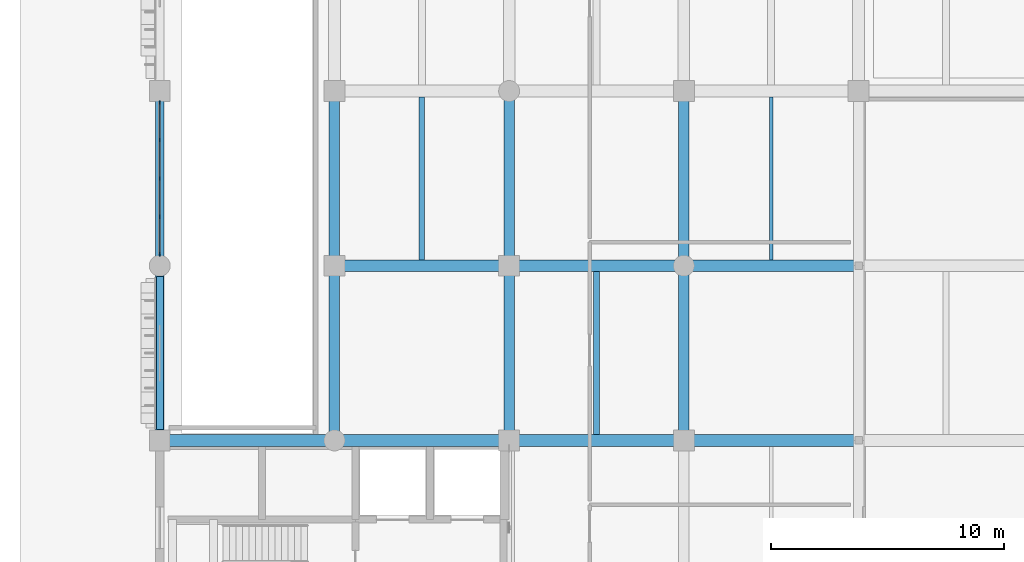
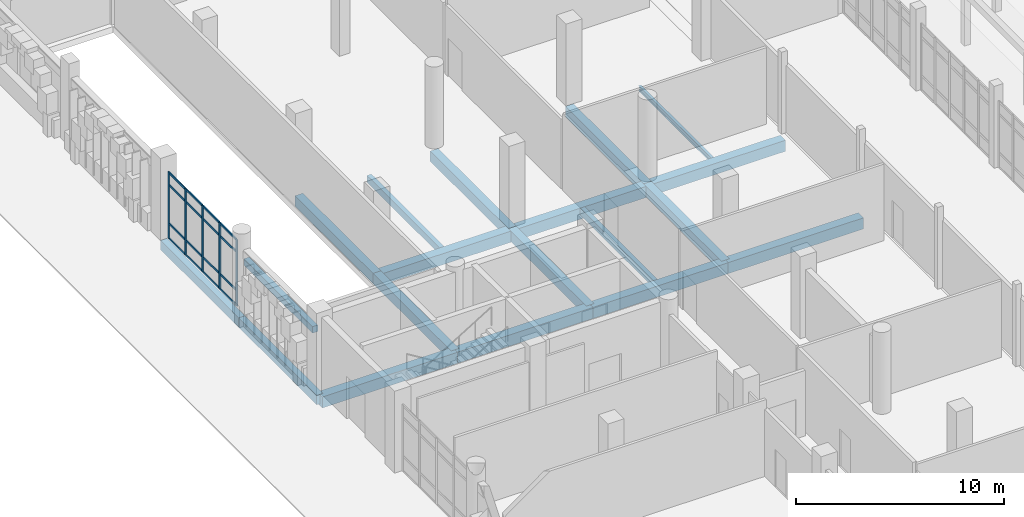
# One storey, part 39 of 125: 21 members, 19 beams, 1 element without a shape of its own.
"""IFC4 building model written with IfcOpenShell, lengths in metres."""

from ifc_helpers import new_model, si_unit, direction, frame, origin, origin_2d, place, context, subcontext, project, spatial, rectangle, i_section, extrude, material, layer, layer_set, material_profile, profile_set, type_object, element, aggregate, save


model = new_model("IFC4")

# Units and contexts
model_context = context("Model", 3, precision=1e-05, world=origin(), true_north=direction((0.0, 1.0)))
body_context = subcontext(model_context, "Body", "Model", "MODEL_VIEW")
ifc_project = project(units=[si_unit("LENGTHUNIT", "METRE"), si_unit("AREAUNIT", "SQUARE_METRE"), si_unit("VOLUMEUNIT", "CUBIC_METRE"), si_unit("PLANEANGLEUNIT", "RADIAN"), si_unit("MASSUNIT", "GRAM", prefix="KILO")], contexts=[model_context])

# Site, building, storey
site_placement = place(None, origin())
site = spatial("IfcSite", under=ifc_project, at=site_placement, CompositionType="ELEMENT")
building_placement = place(site_placement, origin())
building = spatial("IfcBuilding", under=site, at=building_placement, Name="Dalvernix Boulevard General Hospital", CompositionType="ELEMENT")
storey_placement = place(building_placement, origin())
storey = spatial("IfcBuildingStorey", under=building, at=storey_placement, Name="L00", CompositionType="ELEMENT", Elevation=0.0)

# Beams
ifc_material_1 = material(Name="Concrete C35/45", Category="concrete")
ifc_material_profile_1 = material_profile(ifc_material_1, rectangle(XDim=0.5, YDim=0.64990234375, at=origin_2d()), Name="RCB 500x650")
ifc_profile_set_1 = profile_set([ifc_material_profile_1], Name="Concrete C35/45")
beam_type_1 = type_object("IfcBeamType", Name="BM-B-02-I", PredefinedType="BEAM", material=ifc_profile_set_1)
for number, where, z_axis, x_axis, name in (
    (1, (0.0, 61.5, -0.68505859375), (1.0, 0.0, 0.0), (0.0, 1.0, 0.0), "L00 E-W girder J:1-2"),
    (2, (7.5, 61.5, -0.68505859375), (1.0, 0.0, 0.0), (0.0, 1.0, 0.0), "L00 E-W girder J:2-3"),
    (3, (15.0, 61.5, -0.68505859375), (1.0, 0.0, 0.0), (0.0, 1.0, 0.0), "L00 E-W girder J:3-4"),
    (4, (22.5, 61.5, -0.68505859375), (1.0, 0.0, 0.0), (0.0, 1.0, 0.0), "L00 E-W girder J:4-5"),
    (5, (7.5, 69.0, -0.68505859375), (1.0, 0.0, 0.0), (0.0, 1.0, 0.0), "L00 E-W girder K:2-3"),
    (6, (15.0, 69.0, -0.68505859375), (1.0, 0.0, 0.0), (0.0, 1.0, 0.0), "L00 E-W girder K:3-4"),
    (7, (22.5, 69.0, -0.68505859375), (1.0, 0.0, 0.0), (0.0, 1.0, 0.0), "L00 E-W girder K:4-5"),
):
    element("IfcBeam", number, at=place(storey_placement, frame(where, z_axis=z_axis, x_axis=x_axis)), inside=storey, type_object=beam_type_1, Name=name, PredefinedType="BEAM", context=body_context, shape_type="SweptSolid", body=[
        extrude(rectangle(XDim=0.5, YDim=0.64990234375, at=origin_2d()), origin(), (0.0, 0.0, 1.0), 7.5),
    ])
ifc_material_profile_2 = material_profile(ifc_material_1, rectangle(XDim=0.449951171875, YDim=0.60009765625, at=origin_2d()), Name="RCB 450x600")
ifc_profile_set_2 = profile_set([ifc_material_profile_2], Name="Concrete C35/45")
beam_type_2 = type_object("IfcBeamType", Name="BM-B-04-I", PredefinedType="BEAM", material=ifc_profile_set_2)
for number, where, z_axis, x_axis, name in (
    (8, (7.5, 61.5, -0.659912109375), (0.0, 1.0, 0.0), (-1.0, 0.0, 0.0), "L00 N-S girder 2:J-K"),
    (9, (7.5, 69.0, -0.659912109375), (0.0, 1.0, 0.0), (-1.0, 0.0, 0.0), "L00 N-S girder 2:K-L"),
    (10, (15.0, 61.5, -0.659912109375), (0.0, 1.0, 0.0), (-1.0, 0.0, 0.0), "L00 N-S girder 3:J-K"),
    (11, (15.0, 69.0, -0.659912109375), (0.0, 1.0, 0.0), (-1.0, 0.0, 0.0), "L00 N-S girder 3:K-L"),
    (12, (22.5, 61.5, -0.659912109375), (0.0, 1.0, 0.0), (-1.0, 0.0, 0.0), "L00 N-S girder 4:J-K"),
    (13, (22.5, 69.0, -0.659912109375), (0.0, 1.0, 0.0), (-1.0, 0.0, 0.0), "L00 N-S girder 4:K-L"),
):
    element("IfcBeam", number, at=place(storey_placement, frame(where, z_axis=z_axis, x_axis=x_axis)), inside=storey, type_object=beam_type_2, Name=name, PredefinedType="BEAM", context=body_context, shape_type="SweptSolid", body=[
        extrude(rectangle(XDim=0.449951171875, YDim=0.60009765625, at=origin_2d()), origin(), (0.0, 0.0, 1.0), 7.5),
    ])
ifc_material_profile_3 = material_profile(ifc_material_1, rectangle(XDim=0.25, YDim=0.39990234375, at=origin_2d()), Name="RCB 250x400")
ifc_profile_set_3 = profile_set([ifc_material_profile_3], Name="Concrete C35/45")
beam_type_3 = type_object("IfcBeamType", Name="BM-JB-02", PredefinedType="JOIST", material=ifc_profile_set_3)
for number, where, z_axis, x_axis, name in (
    (14, (11.25, 69.25, -0.56005859375), (0.0, 1.0, 0.0), (-1.0, 0.0, 0.0), "L00 secondary floor beam 2-K"),
    (15, (18.75, 61.75, -0.56005859375), (0.0, 1.0, 0.0), (-1.0, 0.0, 0.0), "L00 secondary floor beam 3-J"),
):
    element("IfcBeam", number, at=place(storey_placement, frame(where, z_axis=z_axis, x_axis=x_axis)), inside=storey, type_object=beam_type_3, Name=name, PredefinedType="JOIST", context=body_context, shape_type="SweptSolid", body=[
        extrude(rectangle(XDim=0.25, YDim=0.39990234375, at=origin_2d()), origin(), (0.0, 0.0, 1.0), 7.0),
    ])
ifc_material_2 = material(Name="Steel S355", Category="steel")
ifc_material_profile_4 = material_profile(ifc_material_2, i_section(OverallWidth=0.14990234375, OverallDepth=0.300048828125, WebThickness=0.007080078125, FlangeThickness=0.0107421875, FilletRadius=0.014892578125, at=origin_2d()), Name="IPE 300")
ifc_profile_set_4 = profile_set([ifc_material_profile_4], Name="Steel S355")
beam_type_4 = type_object("IfcBeamType", Name="BM-JB-03", PredefinedType="JOIST", material=ifc_profile_set_4)
beam_1_placement = place(storey_placement, frame((26.25, 69.25, -0.510009765625), z_axis=(0.0, 1.0, 0.0), x_axis=(-1.0, 0.0, 0.0)))
element("IfcBeam", 16, at=beam_1_placement, inside=storey, type_object=beam_type_4, Name="L00 secondary floor beam 4-K", PredefinedType="JOIST", context=body_context, shape_type="SweptSolid", body=[
    extrude(i_section(OverallWidth=0.14990234375, OverallDepth=0.300048828125, WebThickness=0.007080078125, FlangeThickness=0.0107421875, FilletRadius=0.014892578125, at=origin_2d()), origin(), (0.0, 0.0, 1.0), 7.0),
])
ifc_material_3 = material(Name="Precast concrete C40/50", Category="concrete")
ifc_material_profile_5 = material_profile(ifc_material_3, rectangle(XDim=0.300048828125, YDim=0.3798828125, at=origin_2d()), Name="RCL 300x380")
ifc_profile_set_5 = profile_set([ifc_material_profile_5], Name="Precast concrete C40/50")
beam_type_5 = type_object("IfcBeamType", Name="BM-LB-02", PredefinedType="LINTEL", material=ifc_profile_set_5)
beam_2_placement = place(storey_placement, frame((0.0, 61.9599609375, 3.18994140625), z_axis=(0.0, 1.0, 0.0), x_axis=(-1.0, 0.0, 0.0)))
element("IfcBeam", 17, at=beam_2_placement, inside=storey, type_object=beam_type_5, Name="L00 precast window lintel W 0-8", PredefinedType="LINTEL", context=body_context, shape_type="SweptSolid", body=[
    extrude(rectangle(XDim=0.300048828125, YDim=0.3798828125, at=origin_2d()), origin(), (0.0, 0.0, 1.0), 6.580078125),
])
ifc_material_profile_6 = material_profile(ifc_material_1, rectangle(XDim=0.35009765625, YDim=0.550048828125, at=origin_2d()), Name="RCB 350x550")
ifc_profile_set_6 = profile_set([ifc_material_profile_6], Name="Concrete C35/45")
beam_type_6 = type_object("IfcBeamType", Name="BM-SB-01-E", PredefinedType="SPANDREL", material=ifc_profile_set_6)
for number, where, z_axis, x_axis, name in (
    (18, (0.0, 61.5, -0.635009765625), (0.0, 1.0, 0.0), (-1.0, 0.0, 0.0), "L00 N-S girder 1:J-K"),
    (19, (0.0, 69.0, -0.635009765625), (0.0, 1.0, 0.0), (-1.0, 0.0, 0.0), "L00 N-S girder 1:K-L"),
):
    element("IfcBeam", number, at=place(storey_placement, frame(where, z_axis=z_axis, x_axis=x_axis)), inside=storey, type_object=beam_type_6, Name=name, PredefinedType="SPANDREL", context=body_context, shape_type="SweptSolid", body=[
        extrude(rectangle(XDim=0.35009765625, YDim=0.550048828125, at=origin_2d()), origin(), (0.0, 0.0, 1.0), 7.5),
    ])

# Curtain wall, members
ifc_material_4 = material(Name="Thermally broken aluminium and solar-control glass curtain wall", Category="aluminium")
ifc_layer = layer(ifc_material_4, 0.159912109375)
ifc_layer_set = layer_set([ifc_layer], Name="Thermally broken aluminium and solar-control glass curtain wall (CW-CW-A-66x39)")
curtain_wall_type = type_object("IfcCurtainWallType", Name="CW-CW-A-66x39", PredefinedType="USERDEFINED", material=ifc_layer_set)
curtain_wall_placement = place(storey_placement, origin())
curtain_wall = element("IfcCurtainWall", 20, at=curtain_wall_placement, inside=storey, type_object=curtain_wall_type, Name="L00 curtain wall CW-A-66x39 0-9", ObjectType="GLAZED FACADE", PredefinedType="USERDEFINED")
ifc_material_5 = material(Name="Aluminium EN AW-6060", Category="aluminium")
ifc_material_profile_7 = material_profile(ifc_material_5, rectangle(XDim=0.06005859375, YDim=0.159912109375, at=origin_2d()), Name="ALU MULL 60x160")
ifc_profile_set_7 = profile_set([ifc_material_profile_7], Name="Aluminium EN AW-6060")
member_type_1 = type_object("IfcMemberType", Name="MEM-CW-M1", PredefinedType="MULLION", material=ifc_profile_set_7)
member_1_placement = place(storey_placement, frame((0.0, 69.489990234375, 0.0), z_axis=(0.0, 0.0, 1.0), x_axis=(-1.0, 0.0, 0.0)))
member_1 = element("IfcMember", 21, at=member_1_placement, type_object=member_type_1, Name="CW-A-66x39 mullion 1", PredefinedType="MULLION", context=body_context, shape_type="SweptSolid", body=[
    extrude(rectangle(XDim=0.06005859375, YDim=0.159912109375, at=origin_2d()), origin(), (0.0, 0.0, 1.0), 3.89990234375),
])
member_2_placement = place(storey_placement, frame((0.0, 71.10498046875, 0.0), z_axis=(0.0, 0.0, 1.0), x_axis=(-1.0, 0.0, 0.0)))
member_2 = element("IfcMember", 22, at=member_2_placement, type_object=member_type_1, Name="CW-A-66x39 mullion 2", PredefinedType="MULLION", context=body_context, shape_type="SweptSolid", body=[
    extrude(rectangle(XDim=0.06005859375, YDim=0.159912109375, at=origin_2d()), origin(), (0.0, 0.0, 1.0), 3.89990234375),
])
member_3_placement = place(storey_placement, frame((0.0, 72.75, 0.0), z_axis=(0.0, 0.0, 1.0), x_axis=(-1.0, 0.0, 0.0)))
member_3 = element("IfcMember", 23, at=member_3_placement, type_object=member_type_1, Name="CW-A-66x39 mullion 3", PredefinedType="MULLION", context=body_context, shape_type="SweptSolid", body=[
    extrude(rectangle(XDim=0.06005859375, YDim=0.159912109375, at=origin_2d()), origin(), (0.0, 0.0, 1.0), 3.89990234375),
])
member_4_placement = place(storey_placement, frame((0.0, 74.39501953125, 0.0), z_axis=(0.0, 0.0, 1.0), x_axis=(-1.0, 0.0, 0.0)))
member_4 = element("IfcMember", 24, at=member_4_placement, type_object=member_type_1, Name="CW-A-66x39 mullion 4", PredefinedType="MULLION", context=body_context, shape_type="SweptSolid", body=[
    extrude(rectangle(XDim=0.06005859375, YDim=0.159912109375, at=origin_2d()), origin(), (0.0, 0.0, 1.0), 3.89990234375),
])
member_5_placement = place(storey_placement, frame((0.0, 76.010009765625, 0.0), z_axis=(0.0, 0.0, 1.0), x_axis=(-1.0, 0.0, 0.0)))
member_5 = element("IfcMember", 25, at=member_5_placement, type_object=member_type_1, Name="CW-A-66x39 mullion 5", PredefinedType="MULLION", context=body_context, shape_type="SweptSolid", body=[
    extrude(rectangle(XDim=0.06005859375, YDim=0.159912109375, at=origin_2d()), origin(), (0.0, 0.0, 1.0), 3.89990234375),
])
ifc_material_profile_8 = material_profile(ifc_material_5, rectangle(XDim=0.06005859375, YDim=0.1201171875, at=origin_2d()), Name="ALU TRAN 60x120")
ifc_profile_set_8 = profile_set([ifc_material_profile_8], Name="Aluminium EN AW-6060")
member_type_2 = type_object("IfcMemberType", Name="MEM-CW-T1", PredefinedType="USERDEFINED", material=ifc_profile_set_8)
member_6_placement = place(storey_placement, frame((0.0, 69.52001953125, 0.030029296875), z_axis=(0.0, 1.0, 0.0), x_axis=(-1.0, 0.0, 0.0)))
member_6 = element("IfcMember", 26, at=member_6_placement, type_object=member_type_2, Name="CW-A-66x39 transom 1.1", ObjectType="TRANSOM", PredefinedType="USERDEFINED", context=body_context, shape_type="SweptSolid", body=[
    extrude(rectangle(XDim=0.06005859375, YDim=0.1201171875, at=origin_2d()), origin(), (0.0, 0.0, 1.0), 1.554931640625),
])
member_7_placement = place(storey_placement, frame((0.0, 69.52001953125, 0.89990234375), z_axis=(0.0, 1.0, 0.0), x_axis=(-1.0, 0.0, 0.0)))
member_7 = element("IfcMember", 27, at=member_7_placement, type_object=member_type_2, Name="CW-A-66x39 transom 1.2", ObjectType="TRANSOM", PredefinedType="USERDEFINED", context=body_context, shape_type="SweptSolid", body=[
    extrude(rectangle(XDim=0.06005859375, YDim=0.1201171875, at=origin_2d()), origin(), (0.0, 0.0, 1.0), 1.554931640625),
])
member_8_placement = place(storey_placement, frame((0.0, 69.52001953125, 3.14990234375), z_axis=(0.0, 1.0, 0.0), x_axis=(-1.0, 0.0, 0.0)))
member_8 = element("IfcMember", 28, at=member_8_placement, type_object=member_type_2, Name="CW-A-66x39 transom 1.3", ObjectType="TRANSOM", PredefinedType="USERDEFINED", context=body_context, shape_type="SweptSolid", body=[
    extrude(rectangle(XDim=0.06005859375, YDim=0.1201171875, at=origin_2d()), origin(), (0.0, 0.0, 1.0), 1.554931640625),
])
member_9_placement = place(storey_placement, frame((0.0, 69.52001953125, 3.8701171875), z_axis=(0.0, 1.0, 0.0), x_axis=(-1.0, 0.0, 0.0)))
member_9 = element("IfcMember", 29, at=member_9_placement, type_object=member_type_2, Name="CW-A-66x39 transom 1.4", ObjectType="TRANSOM", PredefinedType="USERDEFINED", context=body_context, shape_type="SweptSolid", body=[
    extrude(rectangle(XDim=0.06005859375, YDim=0.1201171875, at=origin_2d()), origin(), (0.0, 0.0, 1.0), 1.554931640625),
])
member_10_placement = place(storey_placement, frame((0.0, 71.135009765625, 0.030029296875), z_axis=(0.0, 1.0, 0.0), x_axis=(-1.0, 0.0, 0.0)))
member_10 = element("IfcMember", 30, at=member_10_placement, type_object=member_type_2, Name="CW-A-66x39 transom 2.1", ObjectType="TRANSOM", PredefinedType="USERDEFINED", context=body_context, shape_type="SweptSolid", body=[
    extrude(rectangle(XDim=0.06005859375, YDim=0.1201171875, at=origin_2d()), origin(), (0.0, 0.0, 1.0), 1.5849609375),
])
member_11_placement = place(storey_placement, frame((0.0, 71.135009765625, 0.89990234375), z_axis=(0.0, 1.0, 0.0), x_axis=(-1.0, 0.0, 0.0)))
member_11 = element("IfcMember", 31, at=member_11_placement, type_object=member_type_2, Name="CW-A-66x39 transom 2.2", ObjectType="TRANSOM", PredefinedType="USERDEFINED", context=body_context, shape_type="SweptSolid", body=[
    extrude(rectangle(XDim=0.06005859375, YDim=0.1201171875, at=origin_2d()), origin(), (0.0, 0.0, 1.0), 1.5849609375),
])
member_12_placement = place(storey_placement, frame((0.0, 71.135009765625, 3.14990234375), z_axis=(0.0, 1.0, 0.0), x_axis=(-1.0, 0.0, 0.0)))
member_12 = element("IfcMember", 32, at=member_12_placement, type_object=member_type_2, Name="CW-A-66x39 transom 2.3", ObjectType="TRANSOM", PredefinedType="USERDEFINED", context=body_context, shape_type="SweptSolid", body=[
    extrude(rectangle(XDim=0.06005859375, YDim=0.1201171875, at=origin_2d()), origin(), (0.0, 0.0, 1.0), 1.5849609375),
])
member_13_placement = place(storey_placement, frame((0.0, 71.135009765625, 3.8701171875), z_axis=(0.0, 1.0, 0.0), x_axis=(-1.0, 0.0, 0.0)))
member_13 = element("IfcMember", 33, at=member_13_placement, type_object=member_type_2, Name="CW-A-66x39 transom 2.4", ObjectType="TRANSOM", PredefinedType="USERDEFINED", context=body_context, shape_type="SweptSolid", body=[
    extrude(rectangle(XDim=0.06005859375, YDim=0.1201171875, at=origin_2d()), origin(), (0.0, 0.0, 1.0), 1.5849609375),
])
member_14_placement = place(storey_placement, frame((0.0, 72.780029296875, 0.030029296875), z_axis=(0.0, 1.0, 0.0), x_axis=(-1.0, 0.0, 0.0)))
member_14 = element("IfcMember", 34, at=member_14_placement, type_object=member_type_2, Name="CW-A-66x39 transom 3.1", ObjectType="TRANSOM", PredefinedType="USERDEFINED", context=body_context, shape_type="SweptSolid", body=[
    extrude(rectangle(XDim=0.06005859375, YDim=0.1201171875, at=origin_2d()), origin(), (0.0, 0.0, 1.0), 1.5849609375),
])
member_15_placement = place(storey_placement, frame((0.0, 72.780029296875, 0.89990234375), z_axis=(0.0, 1.0, 0.0), x_axis=(-1.0, 0.0, 0.0)))
member_15 = element("IfcMember", 35, at=member_15_placement, type_object=member_type_2, Name="CW-A-66x39 transom 3.2", ObjectType="TRANSOM", PredefinedType="USERDEFINED", context=body_context, shape_type="SweptSolid", body=[
    extrude(rectangle(XDim=0.06005859375, YDim=0.1201171875, at=origin_2d()), origin(), (0.0, 0.0, 1.0), 1.5849609375),
])
member_16_placement = place(storey_placement, frame((0.0, 72.780029296875, 3.14990234375), z_axis=(0.0, 1.0, 0.0), x_axis=(-1.0, 0.0, 0.0)))
member_16 = element("IfcMember", 36, at=member_16_placement, type_object=member_type_2, Name="CW-A-66x39 transom 3.3", ObjectType="TRANSOM", PredefinedType="USERDEFINED", context=body_context, shape_type="SweptSolid", body=[
    extrude(rectangle(XDim=0.06005859375, YDim=0.1201171875, at=origin_2d()), origin(), (0.0, 0.0, 1.0), 1.5849609375),
])
member_17_placement = place(storey_placement, frame((0.0, 72.780029296875, 3.8701171875), z_axis=(0.0, 1.0, 0.0), x_axis=(-1.0, 0.0, 0.0)))
member_17 = element("IfcMember", 37, at=member_17_placement, type_object=member_type_2, Name="CW-A-66x39 transom 3.4", ObjectType="TRANSOM", PredefinedType="USERDEFINED", context=body_context, shape_type="SweptSolid", body=[
    extrude(rectangle(XDim=0.06005859375, YDim=0.1201171875, at=origin_2d()), origin(), (0.0, 0.0, 1.0), 1.5849609375),
])
member_18_placement = place(storey_placement, frame((0.0, 74.425048828125, 0.030029296875), z_axis=(0.0, 1.0, 0.0), x_axis=(-1.0, 0.0, 0.0)))
member_18 = element("IfcMember", 38, at=member_18_placement, type_object=member_type_2, Name="CW-A-66x39 transom 4.1", ObjectType="TRANSOM", PredefinedType="USERDEFINED", context=body_context, shape_type="SweptSolid", body=[
    extrude(rectangle(XDim=0.06005859375, YDim=0.1201171875, at=origin_2d()), origin(), (0.0, 0.0, 1.0), 1.554931640625),
])
member_19_placement = place(storey_placement, frame((0.0, 74.425048828125, 0.89990234375), z_axis=(0.0, 1.0, 0.0), x_axis=(-1.0, 0.0, 0.0)))
member_19 = element("IfcMember", 39, at=member_19_placement, type_object=member_type_2, Name="CW-A-66x39 transom 4.2", ObjectType="TRANSOM", PredefinedType="USERDEFINED", context=body_context, shape_type="SweptSolid", body=[
    extrude(rectangle(XDim=0.06005859375, YDim=0.1201171875, at=origin_2d()), origin(), (0.0, 0.0, 1.0), 1.554931640625),
])
member_20_placement = place(storey_placement, frame((0.0, 74.425048828125, 3.14990234375), z_axis=(0.0, 1.0, 0.0), x_axis=(-1.0, 0.0, 0.0)))
member_20 = element("IfcMember", 40, at=member_20_placement, type_object=member_type_2, Name="CW-A-66x39 transom 4.3", ObjectType="TRANSOM", PredefinedType="USERDEFINED", context=body_context, shape_type="SweptSolid", body=[
    extrude(rectangle(XDim=0.06005859375, YDim=0.1201171875, at=origin_2d()), origin(), (0.0, 0.0, 1.0), 1.554931640625),
])
member_21_placement = place(storey_placement, frame((0.0, 74.425048828125, 3.8701171875), z_axis=(0.0, 1.0, 0.0), x_axis=(-1.0, 0.0, 0.0)))
member_21 = element("IfcMember", 41, at=member_21_placement, type_object=member_type_2, Name="CW-A-66x39 transom 4.4", ObjectType="TRANSOM", PredefinedType="USERDEFINED", context=body_context, shape_type="SweptSolid", body=[
    extrude(rectangle(XDim=0.06005859375, YDim=0.1201171875, at=origin_2d()), origin(), (0.0, 0.0, 1.0), 1.554931640625),
])
aggregate(curtain_wall, [member_1, member_2, member_3, member_4, member_5, member_6, member_7, member_8, member_9, member_10, member_11, member_12, member_13, member_14, member_15, member_16, member_17, member_18, member_19, member_20, member_21])

save(model, "model.ifc")
